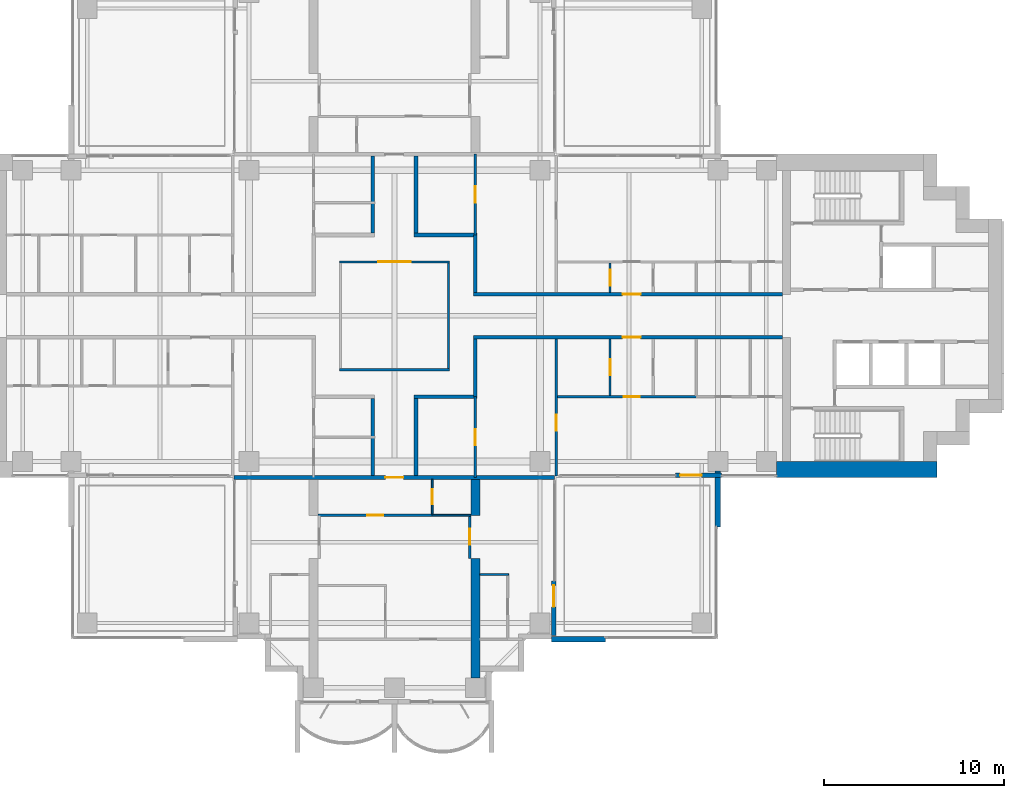
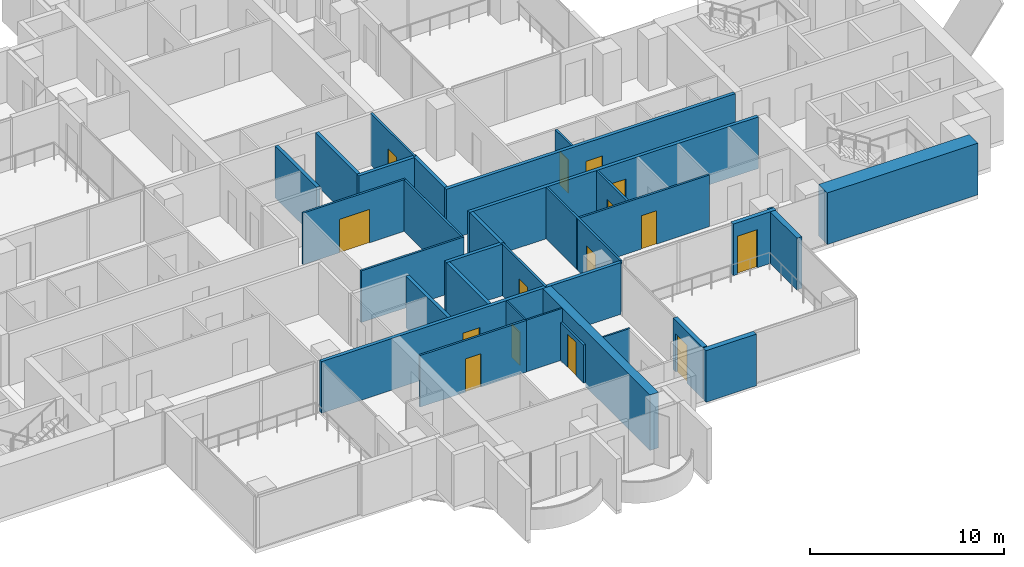
# One storey, part 11 of 18: 31 walls, 15 doors, 15 openings.
"""IFC4 building model written with IfcOpenShell, lengths in metres."""

from ifc_helpers import new_model, si_unit, direction, frame, frame_2d, origin, place, context, subcontext, project, spatial, polyline, rectangle, outline, extrude, material, layer, layer_set, material_profile, profile_set, type_object, element, fill, save


model = new_model("IFC4")

# Units and contexts
model_context = context("Model", 3, precision=1e-05, world=origin(), true_north=direction((0.0, 1.0)))
body_context = subcontext(model_context, "Body", "Model", "MODEL_VIEW")
ifc_project = project(units=[si_unit("LENGTHUNIT", "METRE"), si_unit("AREAUNIT", "SQUARE_METRE"), si_unit("VOLUMEUNIT", "CUBIC_METRE"), si_unit("PLANEANGLEUNIT", "RADIAN"), si_unit("MASSUNIT", "GRAM", prefix="KILO")], contexts=[model_context])

# Site, building, storey
site_placement = place(None, origin())
site = spatial("IfcSite", under=ifc_project, at=site_placement, CompositionType="ELEMENT")
building_placement = place(site_placement, origin())
building = spatial("IfcBuilding", under=site, at=building_placement, Name="Perihelion Cross Residences", CompositionType="ELEMENT")
storey_placement = place(building_placement, frame((0.0, 0.0, 140.89990234375)))
storey = spatial("IfcBuildingStorey", under=building, at=storey_placement, Name="L34", CompositionType="ELEMENT", Elevation=140.89990234375)

# Wall, opening, door
ifc_material_1 = material(Name="Plasterboard partition")
ifc_layer_1 = layer(ifc_material_1, 0.199951171875)
ifc_layer_set_1 = layer_set([ifc_layer_1], Name="Apartment separation wall 200")
wall_type_1 = type_object("IfcWallType", Name="Apartment separation wall 200", PredefinedType="PARTITIONING", material=ifc_layer_set_1)
wall_1_placement = place(storey_placement, frame((4.39990234375, 1.199951171875, 0.0), z_axis=(0.0, 0.0, 1.0), x_axis=(1.0, 0.0, 0.0)))
wall_1 = element("IfcWall", 1, at=wall_1_placement, inside=storey, type_object=wall_type_1, Name="Partition L34 W005", PredefinedType="PARTITIONING", context=body_context, shape_type="SweptSolid", body=[
    extrude(rectangle(XDim=17.2001953125, YDim=0.199951171875, at=frame_2d((8.60009765625, 0.0))), origin(), (0.0, 0.0, 1.0), 3.25),
])
opening_1_placement = place(wall_1_placement, frame((8.300048828125, 0.0, 0.0)))
opening_1 = element("IfcOpeningElement", 2, at=opening_1_placement, cuts=wall_1, Name="Opening L34.A46", PredefinedType="OPENING", context=body_context, shape_type="SweptSolid", body=[
    extrude(rectangle(XDim=1.0, YDim=2.10009765625, at=frame_2d((0.5, 1.050048828125))), frame((0.0, 0.10986328125, 0.0), z_axis=(0.0, -1.0, 0.0), x_axis=(1.0, 0.0, 0.0)), (0.0, 0.0, 1.0), 0.219970703125),
])
ifc_material_2 = material(Name="Timber door leaf", Category="wood")
door_type_1 = type_object("IfcDoorType", Name="Flat entrance door 1000 x 2100", OperationType="SINGLE_SWING_LEFT", PredefinedType="DOOR", material=ifc_material_2)
door_1_placement = place(opening_1_placement, origin())
door_1 = element("IfcDoor", 3, at=door_1_placement, inside=storey, type_object=door_type_1, Name="Door L34.A46", OperationType="SINGLE_SWING_LEFT", OverallHeight=2.10009765625, OverallWidth=1.0, PredefinedType="DOOR", context=body_context, shape_type="SweptSolid", body=[
    extrude(rectangle(XDim=1.0, YDim=2.10009765625, at=frame_2d((0.5, 1.050048828125))), frame((0.0, 0.02490234375, 0.0), z_axis=(0.0, -1.0, 0.0), x_axis=(1.0, 0.0, 0.0)), (0.0, 0.0, 1.0), 0.050048828125),
])
fill(opening_1, door_1)

# Walls
wall_2_placement = place(storey_placement, frame((4.5, 4.5, 0.0), z_axis=(0.0, 0.0, 1.0), x_axis=(0.0, -1.0, 0.0)))
element("IfcWall", 4, at=wall_2_placement, inside=storey, type_object=wall_type_1, Name="Partition L34 W006", PredefinedType="PARTITIONING", context=body_context, shape_type="SweptSolid", body=[
    extrude(rectangle(XDim=3.199951171875, YDim=0.199951171875, at=frame_2d((1.60009765625, 0.0))), origin(), (0.0, 0.0, 1.0), 3.25),
])
wall_3_placement = place(storey_placement, frame((1.199951171875, 8.89990234375, 0.0), z_axis=(0.0, 0.0, 1.0), x_axis=(0.0, -1.0, 0.0)))
element("IfcWall", 5, at=wall_3_placement, inside=storey, type_object=wall_type_1, Name="Partition L34 W007", PredefinedType="PARTITIONING", context=body_context, shape_type="SweptSolid", body=[
    extrude(rectangle(XDim=4.2998046875, YDim=0.199951171875, at=frame_2d((2.14990234375, 0.0))), origin(), (0.0, 0.0, 1.0), 3.25),
])
wall_4_placement = place(storey_placement, frame((1.10009765625, 4.5, 0.0), z_axis=(0.0, 0.0, 1.0), x_axis=(1.0, 0.0, 0.0)))
element("IfcWall", 6, at=wall_4_placement, inside=storey, type_object=wall_type_1, Name="Partition L34 W008", PredefinedType="PARTITIONING", context=body_context, shape_type="SweptSolid", body=[
    extrude(rectangle(XDim=3.5, YDim=0.199951171875, at=frame_2d((1.75, 0.0))), origin(), (0.0, 0.0, 1.0), 3.25),
])

# Wall, opening, door
wall_5_placement = place(storey_placement, frame((21.60009765625, -1.199951171875, 0.0), z_axis=(0.0, 0.0, 1.0), x_axis=(-1.0, 0.0, 0.0)))
wall_5 = element("IfcWall", 7, at=wall_5_placement, inside=storey, type_object=wall_type_1, Name="Partition L34 W009", PredefinedType="PARTITIONING", context=body_context, shape_type="SweptSolid", body=[
    extrude(rectangle(XDim=17.2001953125, YDim=0.199951171875, at=frame_2d((8.60009765625, 0.0))), origin(), (0.0, 0.0, 1.0), 3.25),
])
opening_2_placement = place(wall_5_placement, frame((7.89990234375, 0.0, 0.0)))
opening_2 = element("IfcOpeningElement", 8, at=opening_2_placement, cuts=wall_5, Name="Opening L34.A47", PredefinedType="OPENING", context=body_context, shape_type="SweptSolid", body=[
    extrude(rectangle(XDim=1.0, YDim=2.10009765625, at=frame_2d((0.5, 1.050048828125))), frame((0.0, 0.10986328125, 0.0), z_axis=(0.0, -1.0, 0.0), x_axis=(1.0, 0.0, 0.0)), (0.0, 0.0, 1.0), 0.219970703125),
])
door_2_placement = place(opening_2_placement, origin())
door_2 = element("IfcDoor", 9, at=door_2_placement, inside=storey, type_object=door_type_1, Name="Door L34.A47", OperationType="SINGLE_SWING_LEFT", OverallHeight=2.10009765625, OverallWidth=1.0, PredefinedType="DOOR", context=body_context, shape_type="SweptSolid", body=[
    extrude(rectangle(XDim=1.0, YDim=2.10009765625, at=frame_2d((0.5, 1.050048828125))), frame((0.0, 0.02490234375, 0.0), z_axis=(0.0, -1.0, 0.0), x_axis=(1.0, 0.0, 0.0)), (0.0, 0.0, 1.0), 0.050048828125),
])
fill(opening_2, door_2)

# Walls
wall_6_placement = place(storey_placement, frame((4.5, -1.300048828125, 0.0), z_axis=(0.0, 0.0, 1.0), x_axis=(0.0, -1.0, 0.0)))
element("IfcWall", 10, at=wall_6_placement, inside=storey, type_object=wall_type_1, Name="Partition L34 W010", PredefinedType="PARTITIONING", context=body_context, shape_type="SweptSolid", body=[
    extrude(rectangle(XDim=3.199951171875, YDim=0.199951171875, at=frame_2d((1.60009765625, 0.0))), origin(), (0.0, 0.0, 1.0), 3.25),
])
wall_7_placement = place(storey_placement, frame((4.60009765625, -4.5, 0.0), z_axis=(0.0, 0.0, 1.0), x_axis=(-1.0, 0.0, 0.0)))
element("IfcWall", 11, at=wall_7_placement, inside=storey, type_object=wall_type_1, Name="Partition L34 W011", PredefinedType="PARTITIONING", context=body_context, shape_type="SweptSolid", body=[
    extrude(rectangle(XDim=3.5, YDim=0.199951171875, at=frame_2d((1.75, 0.0))), origin(), (0.0, 0.0, 1.0), 3.25),
])
for number, where, z_axis, x_axis, name in (
    (12, (1.199951171875, -4.60009765625, 0.0), (0.0, 0.0, 1.0), (0.0, -1.0, 0.0), "Partition L34 W012"),
    (13, (-1.199951171875, 4.60009765625, 0.0), (0.0, 0.0, 1.0), (0.0, 1.0, 0.0), "Partition L34 W016"),
    (14, (-1.199951171875, -8.89990234375, 0.0), (0.0, 0.0, 1.0), (0.0, 1.0, 0.0), "Partition L34 W019"),
):
    element("IfcWall", number, at=place(storey_placement, frame(where, z_axis=z_axis, x_axis=x_axis)), inside=storey, type_object=wall_type_1, Name=name, PredefinedType="PARTITIONING", context=body_context, shape_type="SweptSolid", body=[
        extrude(rectangle(XDim=4.2998046875, YDim=0.199951171875, at=frame_2d((2.14990234375, 0.0))), origin(), (0.0, 0.0, 1.0), 3.25),
    ])

# Wall, opening, door
wall_8_placement = place(storey_placement, frame((8.919921875, -9.0, 0.0), z_axis=(0.0, 0.0, 1.0), x_axis=(-1.0, 0.0, 0.0)))
wall_8 = element("IfcWall", 15, at=wall_8_placement, inside=storey, type_object=wall_type_1, Name="Partition L34 W022", PredefinedType="PARTITIONING", context=body_context, shape_type="SweptSolid", body=[
    extrude(rectangle(XDim=17.83984375, YDim=0.199951171875, at=frame_2d((8.919921875, 0.0))), origin(), (0.0, 0.0, 1.0), 3.25),
])
opening_3_placement = place(wall_8_placement, frame((8.419921875, 0.0, 0.0)))
opening_3 = element("IfcOpeningElement", 16, at=opening_3_placement, cuts=wall_8, Name="Opening L34.A39", PredefinedType="OPENING", context=body_context, shape_type="SweptSolid", body=[
    extrude(rectangle(XDim=1.0, YDim=2.10009765625, at=frame_2d((0.5, 1.050048828125))), frame((0.0, 0.10986328125, 0.0), z_axis=(0.0, -1.0, 0.0), x_axis=(1.0, 0.0, 0.0)), (0.0, 0.0, 1.0), 0.219970703125),
])
door_3_placement = place(opening_3_placement, origin())
door_3 = element("IfcDoor", 17, at=door_3_placement, inside=storey, type_object=door_type_1, Name="Door L34.A39", OperationType="SINGLE_SWING_LEFT", OverallHeight=2.10009765625, OverallWidth=1.0, PredefinedType="DOOR", context=body_context, shape_type="SweptSolid", body=[
    extrude(rectangle(XDim=1.0, YDim=2.10009765625, at=frame_2d((0.5, 1.050048828125))), frame((0.0, 0.02490234375, 0.0), z_axis=(0.0, -1.0, 0.0), x_axis=(1.0, 0.0, 0.0)), (0.0, 0.0, 1.0), 0.050048828125),
])
fill(opening_3, door_3)

ifc_material_3 = material(Name="Concrete C30/37, bronze-clad", Category="concrete")
ifc_layer_2 = layer(ifc_material_3, 0.25)
ifc_layer_set_2 = layer_set([ifc_layer_2], Name="Bronze-clad pier wall 250")
wall_type_2 = type_object("IfcWallType", Name="Bronze-clad pier wall 250", PredefinedType="SOLIDWALL", material=ifc_layer_set_2)
wall_9_placement = place(storey_placement, frame((8.875, -17.800048828125, 0.0), z_axis=(0.0, 0.0, 1.0), x_axis=(0.0, 1.0, 0.0)))
wall_9 = element("IfcWall", 18, at=wall_9_placement, inside=storey, type_object=wall_type_2, Name="Wall FW1 L34 south side east bay 1 pier", PredefinedType="SOLIDWALL", context=body_context, shape_type="SweptSolid", body=[
    extrude(rectangle(XDim=3.050048828125, YDim=0.25, at=frame_2d((1.52490234375, 0.0))), origin(), (0.0, 0.0, 1.0), 3.25),
])
opening_4_placement = place(wall_9_placement, frame((1.60009765625, 0.0, 0.0)))
opening_4 = element("IfcOpeningElement", 19, at=opening_4_placement, cuts=wall_9, Name="Opening L34.E13", PredefinedType="OPENING", context=body_context, shape_type="SweptSolid", body=[
    extrude(rectangle(XDim=1.199951171875, YDim=2.39990234375, at=frame_2d((0.60009765625, 1.199951171875))), frame((0.0, 0.135009765625, 0.0), z_axis=(0.0, -1.0, 0.0), x_axis=(1.0, 0.0, 0.0)), (0.0, 0.0, 1.0), 0.27001953125),
])
ifc_material_4 = material(Name="Bronze anodised aluminium, glazed", Category="aluminium")
door_type_2 = type_object("IfcDoorType", Name="Balcony door 1200 x 2400", OperationType="NOTDEFINED", PredefinedType="DOOR", material=ifc_material_4)
door_4_placement = place(opening_4_placement, origin())
door_4 = element("IfcDoor", 20, at=door_4_placement, inside=storey, type_object=door_type_2, Name="Door L34.E13 south side east bay 1", OperationType="SINGLE_SWING_RIGHT", OverallHeight=2.39990234375, OverallWidth=1.199951171875, PredefinedType="DOOR", context=body_context, shape_type="SweptSolid", body=[
    extrude(rectangle(XDim=1.199951171875, YDim=2.39990234375, at=frame_2d((0.60009765625, 1.199951171875))), frame((0.0, 0.02490234375, 0.0), z_axis=(0.0, -1.0, 0.0), x_axis=(1.0, 0.0, 0.0)), (0.0, 0.0, 1.0), 0.050048828125),
])
fill(opening_4, door_4)

wall_10_placement = place(storey_placement, frame((15.64990234375, -8.875, 0.0), z_axis=(0.0, 0.0, 1.0), x_axis=(1.0, 0.0, 0.0)))
wall_10 = element("IfcWall", 21, at=wall_10_placement, inside=storey, type_object=wall_type_2, Name="Wall FW1 L34 east side south bay 1 pier", PredefinedType="SOLIDWALL", context=body_context, shape_type="SweptSolid", body=[
    extrude(rectangle(XDim=2.550048828125, YDim=0.25, at=frame_2d((1.27490234375, 0.0))), origin(), (0.0, 0.0, 1.0), 3.25),
])
opening_5_placement = place(wall_10_placement, frame((0.25, 0.0, 0.0)))
opening_5 = element("IfcOpeningElement", 22, at=opening_5_placement, cuts=wall_10, Name="Opening L34.E14", PredefinedType="OPENING", context=body_context, shape_type="SweptSolid", body=[
    extrude(rectangle(XDim=1.199951171875, YDim=2.39990234375, at=frame_2d((0.60009765625, 1.199951171875))), frame((0.0, 0.135009765625, 0.0), z_axis=(0.0, -1.0, 0.0), x_axis=(1.0, 0.0, 0.0)), (0.0, 0.0, 1.0), 0.27001953125),
])
door_5_placement = place(opening_5_placement, origin())
door_5 = element("IfcDoor", 23, at=door_5_placement, inside=storey, type_object=door_type_2, Name="Door L34.E14 east side south bay 1", OperationType="SINGLE_SWING_LEFT", OverallHeight=2.39990234375, OverallWidth=1.199951171875, PredefinedType="DOOR", context=body_context, shape_type="SweptSolid", body=[
    extrude(rectangle(XDim=1.199951171875, YDim=2.39990234375, at=frame_2d((0.60009765625, 1.199951171875))), frame((0.0, 0.02490234375, 0.0), z_axis=(0.0, -1.0, 0.0), x_axis=(1.0, 0.0, 0.0)), (0.0, 0.0, 1.0), 0.050048828125),
])
fill(opening_5, door_5)

# Wall
ifc_material_5 = material(Name="Concrete C60/75", Category="concrete")
ifc_layer_3 = layer(ifc_material_5, 0.89990234375)
ifc_layer_set_3 = layer_set([ifc_layer_3], Name="Core wall, outer 900")
wall_type_3 = type_object("IfcWallType", Name="Core wall, outer 900", PredefinedType="SHEAR", material=ifc_layer_set_3)
wall_11_placement = place(storey_placement, frame((21.25, -8.550048828125, 0.0), z_axis=(0.0, 0.0, 1.0), x_axis=(1.0, 0.0, 0.0)))
element("IfcWall", 24, at=wall_11_placement, inside=storey, type_object=wall_type_3, Name="East core core wall, outer", PredefinedType="SHEAR", context=body_context, shape_type="SweptSolid", body=[
    extrude(rectangle(XDim=8.949951171875, YDim=0.89990234375, at=frame_2d((4.47509765625, 0.0))), origin(), (0.0, 0.0, 1.0), 3.25),
])

# Wall, opening, door
ifc_material_6 = material(Name="Plasterboard partition")
ifc_layer_4 = layer(ifc_material_6, 0.1201171875)
ifc_layer_set_4 = layer_set([ifc_layer_4], Name="Infill panel 120")
wall_type_4 = type_object("IfcWallType", Name="Infill panel 120", PredefinedType="PARTITIONING", material=ifc_layer_set_4)
wall_12_placement = place(storey_placement, frame((4.18994140625, -11.10009765625, 0.0), z_axis=(0.0, 0.0, 1.0), x_axis=(0.0, -1.0, 0.0)))
wall_12 = element("IfcWall", 25, at=wall_12_placement, inside=storey, type_object=wall_type_4, Name="Partition L34 WI05", PredefinedType="PARTITIONING", context=body_context, shape_type="SweptSolid", body=[
    extrude(rectangle(XDim=2.39990234375, YDim=0.1201171875, at=frame_2d((1.199951171875, 0.0))), origin(), (0.0, 0.0, 1.0), 2.400146484375),
])
opening_6_placement = place(wall_12_placement, frame((0.75, 0.0, 0.0)))
opening_6 = element("IfcOpeningElement", 26, at=opening_6_placement, cuts=wall_12, Name="Opening L34.A54", PredefinedType="OPENING", context=body_context, shape_type="SweptSolid", body=[
    extrude(rectangle(XDim=0.89990234375, YDim=2.10009765625, at=frame_2d((0.449951171875, 1.050048828125))), frame((0.0, 0.070068359375, 0.0), z_axis=(0.0, -1.0, 0.0), x_axis=(1.0, 0.0, 0.0)), (0.0, 0.0, 1.0), 0.14013671875),
])
ifc_material_7 = material(Name="Timber door leaf", Category="wood")
door_type_3 = type_object("IfcDoorType", Name="Interior room door 900 x 2100", OperationType="SINGLE_SWING_LEFT", PredefinedType="DOOR", material=ifc_material_7)
door_6_placement = place(opening_6_placement, origin())
door_6 = element("IfcDoor", 27, at=door_6_placement, inside=storey, type_object=door_type_3, Name="Door L34.A54", OperationType="SINGLE_SWING_LEFT", OverallHeight=2.10009765625, OverallWidth=0.89990234375, PredefinedType="DOOR", context=body_context, shape_type="SweptSolid", body=[
    extrude(rectangle(XDim=0.89990234375, YDim=2.10009765625, at=frame_2d((0.449951171875, 1.050048828125))), frame((0.0, 0.02490234375, 0.0), z_axis=(0.0, -1.0, 0.0), x_axis=(1.0, 0.0, 0.0)), (0.0, 0.0, 1.0), 0.050048828125),
])
fill(opening_6, door_6)

# Walls
ifc_material_8 = material(Name="Plasterboard partition")
ifc_layer_5 = layer(ifc_material_8, 0.1201171875)
ifc_layer_set_5 = layer_set([ifc_layer_5], Name="Partition wall 120")
wall_type_5 = type_object("IfcWallType", Name="Partition wall 120", PredefinedType="PARTITIONING", material=ifc_layer_set_5)
wall_13_placement = place(storey_placement, frame((-3.06005859375, -3.0, 0.0), z_axis=(0.0, 0.0, 1.0), x_axis=(1.0, 0.0, 0.0)))
element("IfcWall", 28, at=wall_13_placement, inside=storey, type_object=wall_type_5, Name="Partition L34 W001", PredefinedType="PARTITIONING", context=body_context, shape_type="SweptSolid", body=[
    extrude(rectangle(XDim=6.1201171875, YDim=0.1201171875, at=frame_2d((3.06005859375, 0.0))), origin(), (0.0, 0.0, 1.0), 3.25),
])
wall_14_placement = place(storey_placement, frame((3.0, -2.93994140625, 0.0), z_axis=(0.0, 0.0, 1.0), x_axis=(0.0, 1.0, 0.0)))
element("IfcWall", 29, at=wall_14_placement, inside=storey, type_object=wall_type_5, Name="Partition L34 W002", PredefinedType="PARTITIONING", context=body_context, shape_type="SweptSolid", body=[
    extrude(rectangle(XDim=5.8798828125, YDim=0.1201171875, at=frame_2d((2.93994140625, 0.0))), origin(), (0.0, 0.0, 1.0), 3.25),
])

# Wall, opening, door
wall_15_placement = place(storey_placement, frame((3.06005859375, 3.0, 0.0), z_axis=(0.0, 0.0, 1.0), x_axis=(-1.0, 0.0, 0.0)))
wall_15 = element("IfcWall", 30, at=wall_15_placement, inside=storey, type_object=wall_type_5, Name="Partition L34 W003", PredefinedType="PARTITIONING", context=body_context, shape_type="SweptSolid", body=[
    extrude(rectangle(XDim=6.1201171875, YDim=0.1201171875, at=frame_2d((3.06005859375, 0.0))), origin(), (0.0, 0.0, 1.0), 3.25),
])
opening_7_placement = place(wall_15_placement, frame((2.159912109375, 0.0, 0.0)))
opening_7 = element("IfcOpeningElement", 31, at=opening_7_placement, cuts=wall_15, Name="Opening L34.A01", PredefinedType="OPENING", context=body_context, shape_type="SweptSolid", body=[
    extrude(rectangle(XDim=1.800048828125, YDim=2.10009765625, at=frame_2d((0.89990234375, 1.050048828125))), frame((0.0, 0.070068359375, 0.0), z_axis=(0.0, -1.0, 0.0), x_axis=(1.0, 0.0, 0.0)), (0.0, 0.0, 1.0), 0.14013671875),
])
ifc_material_9 = material(Name="Glazed timber door leaf", Category="wood")
door_type_4 = type_object("IfcDoorType", Name="Interior double leaf door 1800 x 2100", OperationType="DOUBLE_DOOR_SINGLE_SWING", PredefinedType="DOOR", material=ifc_material_9)
door_7_placement = place(opening_7_placement, origin())
door_7 = element("IfcDoor", 32, at=door_7_placement, inside=storey, type_object=door_type_4, Name="Door L34.A01", OperationType="SINGLE_SWING_LEFT", OverallHeight=2.10009765625, OverallWidth=1.800048828125, PredefinedType="DOOR", context=body_context, shape_type="SweptSolid", body=[
    extrude(rectangle(XDim=1.800048828125, YDim=2.10009765625, at=frame_2d((0.89990234375, 1.050048828125))), frame((0.0, 0.02490234375, 0.0), z_axis=(0.0, -1.0, 0.0), x_axis=(1.0, 0.0, 0.0)), (0.0, 0.0, 1.0), 0.050048828125),
])
fill(opening_7, door_7)

wall_16_placement = place(storey_placement, frame((12.0, 2.93994140625, 0.0), z_axis=(0.0, 0.0, 1.0), x_axis=(0.0, -1.0, 0.0)))
wall_16 = element("IfcWall", 33, at=wall_16_placement, inside=storey, type_object=wall_type_5, Name="Partition L34 W023", PredefinedType="PARTITIONING", context=body_context, shape_type="SweptSolid", body=[
    extrude(rectangle(XDim=1.639892578125, YDim=0.1201171875, at=frame_2d((0.81982421875, 0.0))), origin(), (0.0, 0.0, 1.0), 3.25),
])
opening_8_placement = place(wall_16_placement, frame((0.3701171875, 0.0, 0.0)))
opening_8 = element("IfcOpeningElement", 34, at=opening_8_placement, cuts=wall_16, Name="Opening L34.A04", PredefinedType="OPENING", context=body_context, shape_type="SweptSolid", body=[
    extrude(rectangle(XDim=0.89990234375, YDim=2.10009765625, at=frame_2d((0.449951171875, 1.050048828125))), frame((0.0, 0.070068359375, 0.0), z_axis=(0.0, -1.0, 0.0), x_axis=(1.0, 0.0, 0.0)), (0.0, 0.0, 1.0), 0.14013671875),
])
door_8_placement = place(opening_8_placement, origin())
door_8 = element("IfcDoor", 35, at=door_8_placement, inside=storey, type_object=door_type_3, Name="Door L34.A04", OperationType="SINGLE_SWING_LEFT", OverallHeight=2.10009765625, OverallWidth=0.89990234375, PredefinedType="DOOR", context=body_context, shape_type="SweptSolid", body=[
    extrude(rectangle(XDim=0.89990234375, YDim=2.10009765625, at=frame_2d((0.449951171875, 1.050048828125))), frame((0.0, 0.02490234375, 0.0), z_axis=(0.0, -1.0, 0.0), x_axis=(1.0, 0.0, 0.0)), (0.0, 0.0, 1.0), 0.050048828125),
])
fill(opening_8, door_8)

wall_17_placement = place(storey_placement, frame((4.5, 4.5, 0.0), z_axis=(0.0, 0.0, 1.0), x_axis=(0.0, 1.0, 0.0)))
wall_17 = element("IfcWall", 36, at=wall_17_placement, inside=storey, type_object=wall_type_5, Name="Partition L34 W031", PredefinedType="PARTITIONING", context=body_context, shape_type="SweptSolid", body=[
    extrude(rectangle(XDim=4.5, YDim=0.1201171875, at=frame_2d((2.25, 0.0))), origin(), (0.0, 0.0, 1.0), 3.25),
])
opening_9_placement = place(wall_17_placement, frame((1.800048828125, 0.0, 0.0)))
opening_9 = element("IfcOpeningElement", 37, at=opening_9_placement, cuts=wall_17, Name="Opening L34.A03", PredefinedType="OPENING", context=body_context, shape_type="SweptSolid", body=[
    extrude(rectangle(XDim=0.89990234375, YDim=2.10009765625, at=frame_2d((0.449951171875, 1.050048828125))), frame((0.0, 0.070068359375, 0.0), z_axis=(0.0, -1.0, 0.0), x_axis=(1.0, 0.0, 0.0)), (0.0, 0.0, 1.0), 0.14013671875),
])
door_9_placement = place(opening_9_placement, origin())
door_9 = element("IfcDoor", 38, at=door_9_placement, inside=storey, type_object=door_type_3, Name="Door L34.A03", OperationType="SINGLE_SWING_LEFT", OverallHeight=2.10009765625, OverallWidth=0.89990234375, PredefinedType="DOOR", context=body_context, shape_type="SweptSolid", body=[
    extrude(rectangle(XDim=0.89990234375, YDim=2.10009765625, at=frame_2d((0.449951171875, 1.050048828125))), frame((0.0, 0.02490234375, 0.0), z_axis=(0.0, -1.0, 0.0), x_axis=(1.0, 0.0, 0.0)), (0.0, 0.0, 1.0), 0.050048828125),
])
fill(opening_9, door_9)

wall_18_placement = place(storey_placement, frame((12.0, -1.300048828125, 0.0), z_axis=(0.0, 0.0, 1.0), x_axis=(0.0, -1.0, 0.0)))
wall_18 = element("IfcWall", 39, at=wall_18_placement, inside=storey, type_object=wall_type_5, Name="Partition L34 W032", PredefinedType="PARTITIONING", context=body_context, shape_type="SweptSolid", body=[
    extrude(rectangle(XDim=3.139892578125, YDim=0.1201171875, at=frame_2d((1.56982421875, 0.0))), origin(), (0.0, 0.0, 1.0), 3.25),
])
opening_10_placement = place(wall_18_placement, frame((1.1201171875, 0.0, 0.0)))
opening_10 = element("IfcOpeningElement", 40, at=opening_10_placement, cuts=wall_18, Name="Opening L34.A11", PredefinedType="OPENING", context=body_context, shape_type="SweptSolid", body=[
    extrude(rectangle(XDim=0.89990234375, YDim=2.10009765625, at=frame_2d((0.449951171875, 1.050048828125))), frame((0.0, 0.070068359375, 0.0), z_axis=(0.0, -1.0, 0.0), x_axis=(1.0, 0.0, 0.0)), (0.0, 0.0, 1.0), 0.14013671875),
])
door_10_placement = place(opening_10_placement, origin())
door_10 = element("IfcDoor", 41, at=door_10_placement, inside=storey, type_object=door_type_3, Name="Door L34.A11", OperationType="SINGLE_SWING_RIGHT", OverallHeight=2.10009765625, OverallWidth=0.89990234375, PredefinedType="DOOR", context=body_context, shape_type="SweptSolid", body=[
    extrude(rectangle(XDim=0.89990234375, YDim=2.10009765625, at=frame_2d((0.449951171875, 1.050048828125))), frame((0.0, 0.02490234375, 0.0), z_axis=(0.0, -1.0, 0.0), x_axis=(1.0, 0.0, 0.0)), (0.0, 0.0, 1.0), 0.050048828125),
])
fill(opening_10, door_10)

wall_19_placement = place(storey_placement, frame((16.800048828125, -4.5, 0.0), z_axis=(0.0, 0.0, 1.0), x_axis=(-1.0, 0.0, 0.0)))
wall_19 = element("IfcWall", 42, at=wall_19_placement, inside=storey, type_object=wall_type_5, Name="Partition L34 W033", PredefinedType="PARTITIONING", context=body_context, shape_type="SweptSolid", body=[
    extrude(rectangle(XDim=7.860107421875, YDim=0.1201171875, at=frame_2d((3.93017578125, 0.0))), origin(), (0.0, 0.0, 1.0), 3.25),
])
opening_11_placement = place(wall_19_placement, frame((3.14990234375, 0.0, 0.0)))
opening_11 = element("IfcOpeningElement", 43, at=opening_11_placement, cuts=wall_19, Name="Opening L34.A13", PredefinedType="OPENING", context=body_context, shape_type="SweptSolid", body=[
    extrude(rectangle(XDim=0.89990234375, YDim=2.10009765625, at=frame_2d((0.449951171875, 1.050048828125))), frame((0.0, 0.070068359375, 0.0), z_axis=(0.0, -1.0, 0.0), x_axis=(1.0, 0.0, 0.0)), (0.0, 0.0, 1.0), 0.14013671875),
])
door_11_placement = place(opening_11_placement, origin())
door_11 = element("IfcDoor", 44, at=door_11_placement, inside=storey, type_object=door_type_3, Name="Door L34.A13", OperationType="SINGLE_SWING_LEFT", OverallHeight=2.10009765625, OverallWidth=0.89990234375, PredefinedType="DOOR", context=body_context, shape_type="SweptSolid", body=[
    extrude(rectangle(XDim=0.89990234375, YDim=2.10009765625, at=frame_2d((0.449951171875, 1.050048828125))), frame((0.0, 0.02490234375, 0.0), z_axis=(0.0, -1.0, 0.0), x_axis=(1.0, 0.0, 0.0)), (0.0, 0.0, 1.0), 0.050048828125),
])
fill(opening_11, door_11)

wall_20_placement = place(storey_placement, frame((9.0, -8.919921875, 0.0), z_axis=(0.0, 0.0, 1.0), x_axis=(0.0, 1.0, 0.0)))
wall_20 = element("IfcWall", 45, at=wall_20_placement, inside=storey, type_object=wall_type_5, Name="Partition L34 W034", PredefinedType="PARTITIONING", context=body_context, shape_type="SweptSolid", body=[
    extrude(rectangle(XDim=7.619873046875, YDim=0.1201171875, at=frame_2d((3.81005859375, 0.0))), origin(), (0.0, 0.0, 1.0), 3.25),
])
opening_12_placement = place(wall_20_placement, frame((2.52001953125, 0.0, 0.0)))
opening_12 = element("IfcOpeningElement", 46, at=opening_12_placement, cuts=wall_20, Name="Opening L34.A14", PredefinedType="OPENING", context=body_context, shape_type="SweptSolid", body=[
    extrude(rectangle(XDim=0.89990234375, YDim=2.10009765625, at=frame_2d((0.449951171875, 1.050048828125))), frame((0.0, 0.070068359375, 0.0), z_axis=(0.0, -1.0, 0.0), x_axis=(1.0, 0.0, 0.0)), (0.0, 0.0, 1.0), 0.14013671875),
])
door_12_placement = place(opening_12_placement, origin())
door_12 = element("IfcDoor", 47, at=door_12_placement, inside=storey, type_object=door_type_3, Name="Door L34.A14", OperationType="SINGLE_SWING_RIGHT", OverallHeight=2.10009765625, OverallWidth=0.89990234375, PredefinedType="DOOR", context=body_context, shape_type="SweptSolid", body=[
    extrude(rectangle(XDim=0.89990234375, YDim=2.10009765625, at=frame_2d((0.449951171875, 1.050048828125))), frame((0.0, 0.02490234375, 0.0), z_axis=(0.0, -1.0, 0.0), x_axis=(1.0, 0.0, 0.0)), (0.0, 0.0, 1.0), 0.050048828125),
])
fill(opening_12, door_12)

wall_21_placement = place(storey_placement, frame((4.5, -9.0, 0.0), z_axis=(0.0, 0.0, 1.0), x_axis=(0.0, 1.0, 0.0)))
wall_21 = element("IfcWall", 48, at=wall_21_placement, inside=storey, type_object=wall_type_5, Name="Partition L34 W040", PredefinedType="PARTITIONING", context=body_context, shape_type="SweptSolid", body=[
    extrude(rectangle(XDim=4.5, YDim=0.1201171875, at=frame_2d((2.25, 0.0))), origin(), (0.0, 0.0, 1.0), 3.25),
])
opening_13_placement = place(wall_21_placement, frame((1.800048828125, 0.0, 0.0)))
opening_13 = element("IfcOpeningElement", 49, at=opening_13_placement, cuts=wall_21, Name="Opening L34.A10", PredefinedType="OPENING", context=body_context, shape_type="SweptSolid", body=[
    extrude(rectangle(XDim=0.89990234375, YDim=2.10009765625, at=frame_2d((0.449951171875, 1.050048828125))), frame((0.0, 0.070068359375, 0.0), z_axis=(0.0, -1.0, 0.0), x_axis=(1.0, 0.0, 0.0)), (0.0, 0.0, 1.0), 0.14013671875),
])
door_13_placement = place(opening_13_placement, origin())
door_13 = element("IfcDoor", 50, at=door_13_placement, inside=storey, type_object=door_type_3, Name="Door L34.A10", OperationType="SINGLE_SWING_LEFT", OverallHeight=2.10009765625, OverallWidth=0.89990234375, PredefinedType="DOOR", context=body_context, shape_type="SweptSolid", body=[
    extrude(rectangle(XDim=0.89990234375, YDim=2.10009765625, at=frame_2d((0.449951171875, 1.050048828125))), frame((0.0, 0.02490234375, 0.0), z_axis=(0.0, -1.0, 0.0), x_axis=(1.0, 0.0, 0.0)), (0.0, 0.0, 1.0), 0.050048828125),
])
fill(opening_13, door_13)

wall_22_placement = place(storey_placement, frame((2.10009765625, -11.10009765625, 0.0), z_axis=(0.0, 0.0, 1.0), x_axis=(-1.0, 0.0, 0.0)))
wall_22 = element("IfcWall", 51, at=wall_22_placement, inside=storey, type_object=wall_type_5, Name="Partition L34 W078", PredefinedType="PARTITIONING", context=body_context, shape_type="SweptSolid", body=[
    extrude(rectangle(XDim=6.35009765625, YDim=0.1201171875, at=frame_2d((3.175048828125, 0.0))), origin(), (0.0, 0.0, 1.0), 3.25),
])
opening_14_placement = place(wall_22_placement, frame((2.72509765625, 0.0, 0.0)))
opening_14 = element("IfcOpeningElement", 52, at=opening_14_placement, cuts=wall_22, Name="Opening L34.A41", PredefinedType="OPENING", context=body_context, shape_type="SweptSolid", body=[
    extrude(rectangle(XDim=0.89990234375, YDim=2.10009765625, at=frame_2d((0.449951171875, 1.050048828125))), frame((0.0, 0.070068359375, 0.0), z_axis=(0.0, -1.0, 0.0), x_axis=(1.0, 0.0, 0.0)), (0.0, 0.0, 1.0), 0.14013671875),
])
door_14_placement = place(opening_14_placement, origin())
door_14 = element("IfcDoor", 53, at=door_14_placement, inside=storey, type_object=door_type_3, Name="Door L34.A41", OperationType="SINGLE_SWING_LEFT", OverallHeight=2.10009765625, OverallWidth=0.89990234375, PredefinedType="DOOR", context=body_context, shape_type="SweptSolid", body=[
    extrude(rectangle(XDim=0.89990234375, YDim=2.10009765625, at=frame_2d((0.449951171875, 1.050048828125))), frame((0.0, 0.02490234375, 0.0), z_axis=(0.0, -1.0, 0.0), x_axis=(1.0, 0.0, 0.0)), (0.0, 0.0, 1.0), 0.050048828125),
])
fill(opening_14, door_14)

# Walls
ifc_material_10 = material(Name="Precast concrete C50/60", Category="concrete")
ifc_layer_6 = layer(ifc_material_10, 0.300048828125)
ifc_layer_set_6 = layer_set([ifc_layer_6], Name="Precast concrete C50/60 blade wall 300")
wall_type_6 = type_object("IfcWallType", Name="Precast concrete C50/60 blade wall 300", PredefinedType="SOLIDWALL", material=ifc_layer_set_6)
wall_23_placement = place(storey_placement, frame((8.75, -18.0, 0.0), z_axis=(0.0, 0.0, 1.0), x_axis=(1.0, 0.0, 0.0)))
element("IfcWall", 54, at=wall_23_placement, inside=storey, type_object=wall_type_6, Name="Wall BL1 L34 no. 14", PredefinedType="SOLIDWALL", context=body_context, shape_type="SweptSolid", body=[
    extrude(rectangle(XDim=2.989990234375, YDim=0.300048828125, at=frame_2d((1.4951171875, 0.0))), origin(), (0.0, 0.0, 1.0), 3.25),
])
wall_24_placement = place(storey_placement, frame((18.0, -8.64990234375, 0.0), z_axis=(0.0, 0.0, 1.0), x_axis=(0.0, -1.0, 0.0)))
element("IfcWall", 55, at=wall_24_placement, inside=storey, type_object=wall_type_6, Name="Wall BL1 L34 no. 10", PredefinedType="SOLIDWALL", context=body_context, shape_type="SweptSolid", body=[
    extrude(rectangle(XDim=3.090087890625, YDim=0.300048828125, at=frame_2d((1.544921875, 0.0))), origin(), (0.0, 0.0, 1.0), 3.25),
])
ifc_material_11 = material(Name="Concrete C60/75", Category="concrete")
ifc_material_profile = material_profile(ifc_material_11, outline(polyline([(0.0, 0.0), (6.64990234375, 0.0), (6.64990234375, 2.64990234375), (9.050048828125, 2.64990234375), (9.050048828125, 0.0), (11.14990234375, 0.0), (11.14990234375, 3.5), (0.0, 3.5), (0.0, 0.0)])), Name="Tip spine wall")
ifc_profile_set = profile_set([ifc_material_profile], Name="Concrete C60/75")
wall_type_7 = type_object("IfcWallType", Name="Tip spine wall 500 with 1 door openings 11150 long 3500 high concrete C60/75", PredefinedType="SHEAR", material=ifc_profile_set)
wall_25_placement = place(storey_placement, frame((4.25, -20.14990234375, -0.25), z_axis=(1.0, 0.0, 0.0), x_axis=(0.0, 1.0, 0.0)))
element("IfcWall", 56, at=wall_25_placement, inside=storey, type_object=wall_type_7, Name="Shear wall SW33 L34 south east", PredefinedType="SHEAR", context=body_context, shape_type="SweptSolid", body=[
    extrude(outline(polyline([(0.0, 0.0), (6.64990234375, 0.0), (6.64990234375, 2.64990234375), (9.050048828125, 2.64990234375), (9.050048828125, 0.0), (11.14990234375, 0.0), (11.14990234375, 3.5), (0.0, 3.5), (0.0, 0.0)])), origin(), (0.0, 0.0, 1.0), 0.5),
])

# Wall, opening, door
ifc_material_12 = material(Name="Plasterboard partition")
ifc_layer_7 = layer(ifc_material_12, 0.10009765625)
ifc_layer_set_7 = layer_set([ifc_layer_7], Name="Wet room wall 100")
wall_type_8 = type_object("IfcWallType", Name="Wet room wall 100", PredefinedType="PARTITIONING", material=ifc_layer_set_7)
wall_26_placement = place(storey_placement, frame((2.10009765625, -9.10009765625, 0.0), z_axis=(0.0, 0.0, 1.0), x_axis=(0.0, -1.0, 0.0)))
wall_26 = element("IfcWall", 57, at=wall_26_placement, inside=storey, type_object=wall_type_8, Name="Partition L34 W077", PredefinedType="PARTITIONING", context=body_context, shape_type="SweptSolid", body=[
    extrude(rectangle(XDim=1.93994140625, YDim=0.10009765625, at=frame_2d((0.969970703125, 0.0))), origin(), (0.0, 0.0, 1.0), 3.25),
])
opening_15_placement = place(wall_26_placement, frame((0.544921875, 0.0, 0.0)))
opening_15 = element("IfcOpeningElement", 58, at=opening_15_placement, cuts=wall_26, Name="Opening L34.A40", PredefinedType="OPENING", context=body_context, shape_type="SweptSolid", body=[
    extrude(rectangle(XDim=0.85009765625, YDim=2.10009765625, at=frame_2d((0.425048828125, 1.050048828125))), frame((0.0, 0.06005859375, 0.0), z_axis=(0.0, -1.0, 0.0), x_axis=(1.0, 0.0, 0.0)), (0.0, 0.0, 1.0), 0.1201171875),
])
ifc_material_13 = material(Name="Timber door leaf", Category="wood")
door_type_5 = type_object("IfcDoorType", Name="Interior bathroom door 850 x 2100", OperationType="SINGLE_SWING_LEFT", PredefinedType="DOOR", material=ifc_material_13)
door_15_placement = place(opening_15_placement, origin())
door_15 = element("IfcDoor", 59, at=door_15_placement, inside=storey, type_object=door_type_5, Name="Door L34.A40", OperationType="SINGLE_SWING_RIGHT", OverallHeight=2.10009765625, OverallWidth=0.85009765625, PredefinedType="DOOR", context=body_context, shape_type="SweptSolid", body=[
    extrude(rectangle(XDim=0.85009765625, YDim=2.10009765625, at=frame_2d((0.425048828125, 1.050048828125))), frame((0.0, 0.02490234375, 0.0), z_axis=(0.0, -1.0, 0.0), x_axis=(1.0, 0.0, 0.0)), (0.0, 0.0, 1.0), 0.050048828125),
])
fill(opening_15, door_15)

# Walls
wall_27_placement = place(storey_placement, frame((4.25, -11.10009765625, 0.0), z_axis=(0.0, 0.0, 1.0), x_axis=(-1.0, 0.0, 0.0)))
element("IfcWall", 60, at=wall_27_placement, inside=storey, type_object=wall_type_8, Name="Partition L34 W079", PredefinedType="PARTITIONING", context=body_context, shape_type="SweptSolid", body=[
    extrude(rectangle(XDim=2.14990234375, YDim=0.10009765625, at=frame_2d((1.074951171875, 0.0))), origin(), (0.0, 0.0, 1.0), 3.25),
])
wall_28_placement = place(storey_placement, frame((6.35009765625, -14.39990234375, 0.0), z_axis=(0.0, 0.0, 1.0), x_axis=(-1.0, 0.0, 0.0)))
element("IfcWall", 61, at=wall_28_placement, inside=storey, type_object=wall_type_8, Name="Partition L34 W084", PredefinedType="PARTITIONING", context=body_context, shape_type="SweptSolid", body=[
    extrude(rectangle(XDim=1.60009765625, YDim=0.10009765625, at=frame_2d((0.800048828125, 0.0))), origin(), (0.0, 0.0, 1.0), 3.25),
])

save(model, "model.ifc")
